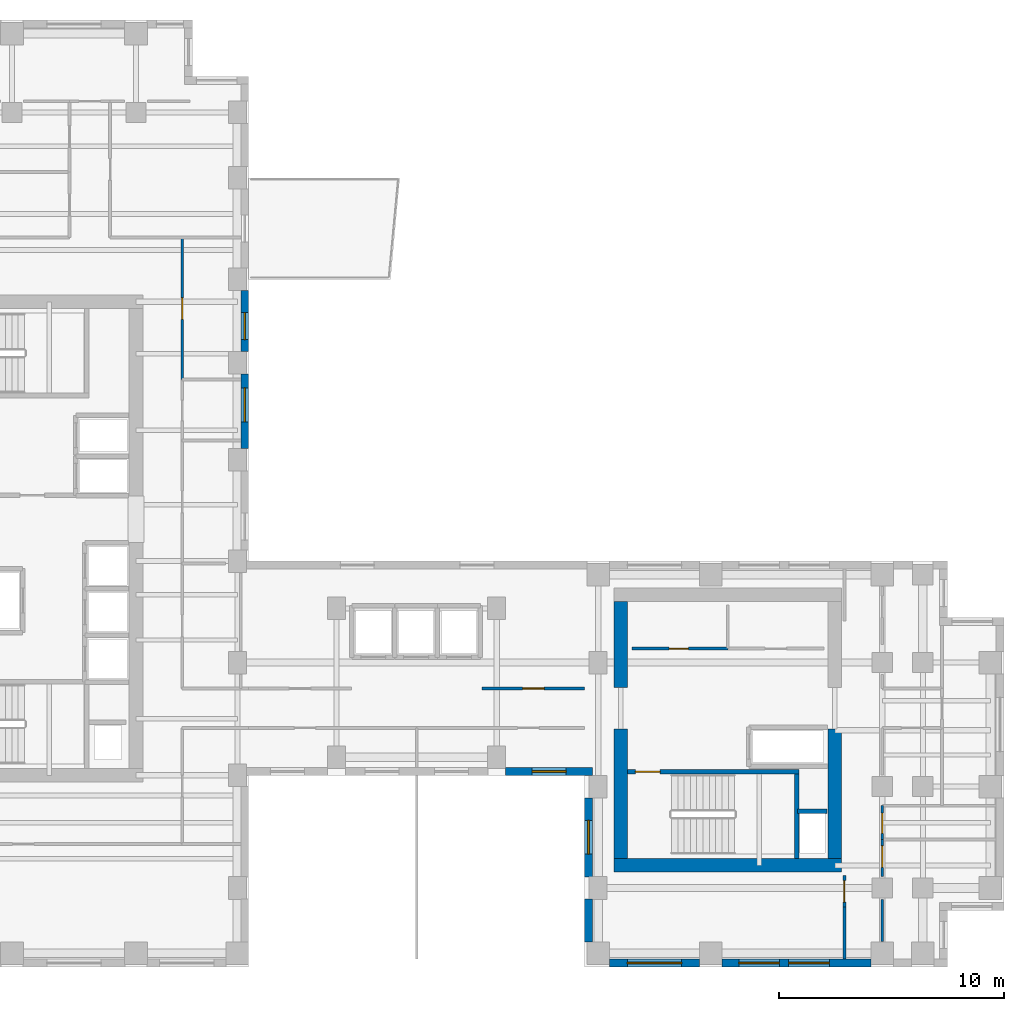
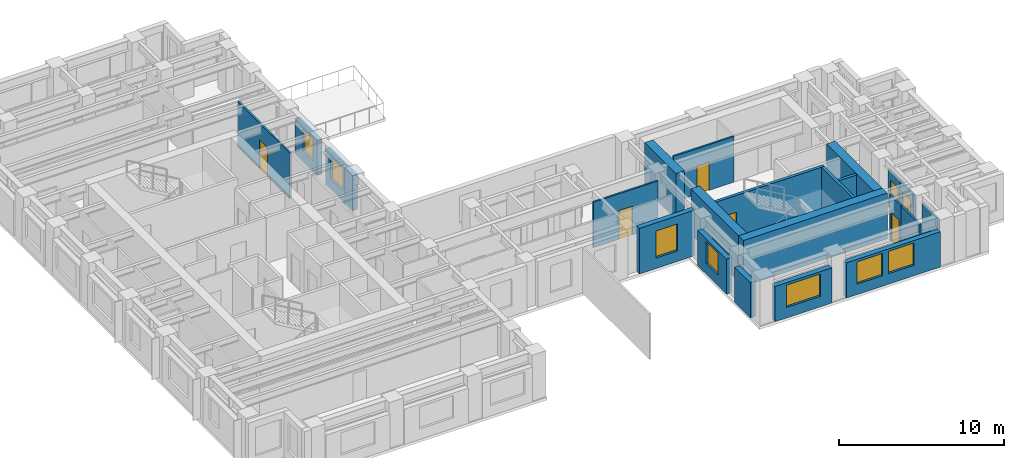
# One storey, part 6 of 11: 22 walls, 7 doors, 7 windows, 14 openings.
"""IFC4 building model written with IfcOpenShell, lengths in metres."""

from ifc_helpers import new_model, si_unit, direction, frame, frame_2d, origin, place, context, subcontext, project, spatial, rectangle, extrude, source, transform, mapped, material, layer, layer_set, type_object, element, fill, save


model = new_model("IFC4")

# Units and contexts
model_context = context("Model", 3, precision=1e-05, world=origin(), true_north=direction((0.0, 1.0)))
body_context = subcontext(model_context, "Body", "Model", "MODEL_VIEW")
ifc_project = project(units=[si_unit("LENGTHUNIT", "METRE"), si_unit("AREAUNIT", "SQUARE_METRE"), si_unit("VOLUMEUNIT", "CUBIC_METRE"), si_unit("PLANEANGLEUNIT", "RADIAN"), si_unit("MASSUNIT", "GRAM", prefix="KILO")], contexts=[model_context])

# Site, building, storey
site_placement = place(None, origin())
site = spatial("IfcSite", under=ifc_project, at=site_placement, CompositionType="ELEMENT")
building_placement = place(site_placement, origin())
building = spatial("IfcBuilding", under=site, at=building_placement, Name="Kharzan Plaza Tower", CompositionType="ELEMENT")
storey_placement = place(building_placement, frame((0.0, 0.0, 171.89990234375)))
storey = spatial("IfcBuildingStorey", under=building, at=storey_placement, Name="L46", CompositionType="ELEMENT", Elevation=171.89990234375)

# Wall, opening, window
ifc_material_1 = material(Name="Concrete C40/50", Category="concrete")
ifc_layer_1 = layer(ifc_material_1, 0.35009765625)
ifc_layer_set_1 = layer_set([ifc_layer_1], Name="Concrete C40/50")
wall_type_1 = type_object("IfcWallType", Name="WL-EXT-MAS-Z3", PredefinedType="SOLIDWALL", material=ifc_layer_set_1)
wall_1_placement = place(storey_placement, frame((30.89794921875, 8.675048828125, 0.0), z_axis=(0.0, 0.0, 1.0), x_axis=(1.0, 0.0, 0.0)))
wall_1 = element("IfcWall", 1, at=wall_1_placement, inside=storey, type_object=wall_type_1, Name="L46 Masonry-Frame Exterior Wall 28", PredefinedType="SOLIDWALL", context=body_context, shape_type="SweptSolid", body=[
    extrude(rectangle(XDim=3.85205078125, YDim=0.35009765625, at=frame_2d((1.926025390625, 0.0))), origin(), (0.0, 0.0, 1.0), 3.385009765625),
])
opening_1_placement = place(wall_1_placement, frame((1.176025390625, 0.0, 0.780029296875)))
opening_1 = element("IfcOpeningElement", 2, at=opening_1_placement, cuts=wall_1, Name="Opening W5", PredefinedType="OPENING", context=body_context, shape_type="SweptSolid", body=[
    extrude(rectangle(XDim=1.5, YDim=2.0, at=frame_2d((0.75, 1.0))), frame((0.0, 0.18505859375, 0.0), z_axis=(0.0, -1.0, 0.0), x_axis=(1.0, 0.0, 0.0)), (0.0, 0.0, 1.0), 0.3701171875),
])
ifc_material_2 = material(Name="Low-E Double Glazing", Category="glass")
window_type_1 = type_object("IfcWindowType", Name="WN-SLT-1500x2000", PartitioningType="SINGLE_PANEL", PredefinedType="WINDOW", material=ifc_material_2)
shared_shape_1 = source(origin(), body_context, "Body", "SweptSolid", [
    extrude(rectangle(XDim=1.5, YDim=2.0, at=frame_2d((0.75, 1.0))), frame((0.0, 0.030029296875, 0.0), z_axis=(0.0, -1.0, 0.0), x_axis=(1.0, 0.0, 0.0)), (0.0, 0.0, 1.0), 0.06005859375),
])
window_1_placement = place(opening_1_placement, origin())
window_1 = element("IfcWindow", 3, at=window_1_placement, inside=storey, type_object=window_type_1, Name="L46 Recessed Solar-Control Window 28-1", OverallHeight=2.0, OverallWidth=1.5, PartitioningType="SINGLE_PANEL", PredefinedType="WINDOW", context=body_context, shape_type="MappedRepresentation", body=[
    mapped(shared_shape_1, transform((0.0, 0.0, 0.0), x_axis=(1.0, 0.0, 0.0), y_axis=(0.0, 1.0, 0.0), z_axis=(0.0, 0.0, 1.0))),
])
fill(opening_1, window_1)

wall_2_placement = place(storey_placement, frame((34.574951171875, 7.501953125, 0.0), z_axis=(0.0, 0.0, 1.0), x_axis=(0.0, -1.0, 0.0)))
wall_2 = element("IfcWall", 4, at=wall_2_placement, inside=storey, type_object=wall_type_1, Name="L46 Masonry-Frame Exterior Wall 29", PredefinedType="SOLIDWALL", context=body_context, shape_type="SweptSolid", body=[
    extrude(rectangle(XDim=3.50390625, YDim=0.35009765625, at=frame_2d((1.751953125, 0.0))), origin(), (0.0, 0.0, 1.0), 2.612060546875),
])
opening_2_placement = place(wall_2_placement, frame((1.001953125, 0.0, 0.780029296875)))
opening_2 = element("IfcOpeningElement", 5, at=opening_2_placement, cuts=wall_2, Name="Opening W5", PredefinedType="OPENING", context=body_context, shape_type="SweptSolid", body=[
    extrude(rectangle(XDim=1.5, YDim=1.652099609375, at=frame_2d((0.75, 0.826171875))), frame((0.0, 0.18505859375, 0.0), z_axis=(0.0, -1.0, 0.0), x_axis=(1.0, 0.0, 0.0)), (0.0, 0.0, 1.0), 0.3701171875),
])
shared_shape_2 = source(origin(), body_context, "Body", "SweptSolid", [
    extrude(rectangle(XDim=1.5, YDim=1.652099609375, at=frame_2d((0.75, 0.826171875))), frame((0.0, 0.030029296875, 0.0), z_axis=(0.0, -1.0, 0.0), x_axis=(1.0, 0.0, 0.0)), (0.0, 0.0, 1.0), 0.06005859375),
])
window_2_placement = place(opening_2_placement, origin())
window_2 = element("IfcWindow", 6, at=window_2_placement, inside=storey, type_object=window_type_1, Name="L46 Recessed Solar-Control Window 29-1", OverallHeight=1.652099609375, OverallWidth=1.5, PartitioningType="SINGLE_PANEL", PredefinedType="WINDOW", context=body_context, shape_type="MappedRepresentation", body=[
    mapped(shared_shape_2, transform((0.0, 0.0, 0.0), x_axis=(1.0, 0.0, 0.0), y_axis=(0.0, 1.0, 0.0), z_axis=(0.0, 0.0, 1.0))),
])
fill(opening_2, window_2)

wall_3_placement = place(storey_placement, frame((35.498046875, 0.175048828125, 0.0), z_axis=(0.0, 0.0, 1.0), x_axis=(1.0, 0.0, 0.0)))
wall_3 = element("IfcWall", 7, at=wall_3_placement, inside=storey, type_object=wall_type_1, Name="L46 Masonry-Frame Exterior Wall 31", PredefinedType="SOLIDWALL", context=body_context, shape_type="SweptSolid", body=[
    extrude(rectangle(XDim=4.00390625, YDim=0.35009765625, at=frame_2d((2.001953125, 0.0))), origin(), (0.0, 0.0, 1.0), 2.612060546875),
])
opening_3_placement = place(wall_3_placement, frame((0.802001953125, 0.0, 0.780029296875)))
opening_3 = element("IfcOpeningElement", 8, at=opening_3_placement, cuts=wall_3, Name="Opening W2", PredefinedType="OPENING", context=body_context, shape_type="SweptSolid", body=[
    extrude(rectangle(XDim=2.39990234375, YDim=1.652099609375, at=frame_2d((1.199951171875, 0.826171875))), frame((0.0, 0.18505859375, 0.0), z_axis=(0.0, -1.0, 0.0), x_axis=(1.0, 0.0, 0.0)), (0.0, 0.0, 1.0), 0.3701171875),
])
window_type_2 = type_object("IfcWindowType", Name="WN-REC-2400x2100", PartitioningType="SINGLE_PANEL", PredefinedType="WINDOW", material=ifc_material_2)
shared_shape_3 = source(origin(), body_context, "Body", "SweptSolid", [
    extrude(rectangle(XDim=2.39990234375, YDim=1.652099609375, at=frame_2d((1.199951171875, 0.826171875))), frame((0.0, 0.030029296875, 0.0), z_axis=(0.0, -1.0, 0.0), x_axis=(1.0, 0.0, 0.0)), (0.0, 0.0, 1.0), 0.06005859375),
])
window_3_placement = place(opening_3_placement, origin())
window_3 = element("IfcWindow", 9, at=window_3_placement, inside=storey, type_object=window_type_2, Name="L46 Wide Recessed Solar-Control Window 31-1", OverallHeight=1.652099609375, OverallWidth=2.39990234375, PartitioningType="SINGLE_PANEL", PredefinedType="WINDOW", context=body_context, shape_type="MappedRepresentation", body=[
    mapped(shared_shape_3, transform((0.0, 0.0, 0.0), x_axis=(1.0, 0.0, 0.0), y_axis=(0.0, 1.0, 0.0), z_axis=(0.0, 0.0, 1.0))),
])
fill(opening_3, window_3)

# Wall, openings, windows
wall_4_placement = place(storey_placement, frame((40.498046875, 0.175048828125, 0.0), z_axis=(0.0, 0.0, 1.0), x_axis=(1.0, 0.0, 0.0)))
wall_4 = element("IfcWall", 10, at=wall_4_placement, inside=storey, type_object=wall_type_1, Name="L46 Masonry-Frame Exterior Wall 32", PredefinedType="SOLIDWALL", context=body_context, shape_type="SweptSolid", body=[
    extrude(rectangle(XDim=6.60400390625, YDim=0.35009765625, at=frame_2d((3.302001953125, 0.0))), origin(), (0.0, 0.0, 1.0), 2.612060546875),
])
opening_4_placement = place(wall_4_placement, frame((0.7373046875, 0.0, 0.780029296875)))
opening_4 = element("IfcOpeningElement", 11, at=opening_4_placement, cuts=wall_4, Name="Opening W1", PredefinedType="OPENING", context=body_context, shape_type="SweptSolid", body=[
    extrude(rectangle(XDim=1.800048828125, YDim=1.652099609375, at=frame_2d((0.89990234375, 0.826171875))), frame((0.0, 0.18505859375, 0.0), z_axis=(0.0, -1.0, 0.0), x_axis=(1.0, 0.0, 0.0)), (0.0, 0.0, 1.0), 0.3701171875),
])
opening_5_placement = place(wall_4_placement, frame((2.95458984375, 0.0, 0.780029296875)))
opening_5 = element("IfcOpeningElement", 12, at=opening_5_placement, cuts=wall_4, Name="Opening W1", PredefinedType="OPENING", context=body_context, shape_type="SweptSolid", body=[
    extrude(rectangle(XDim=1.800048828125, YDim=1.652099609375, at=frame_2d((0.89990234375, 0.826171875))), frame((0.0, 0.18505859375, 0.0), z_axis=(0.0, -1.0, 0.0), x_axis=(1.0, 0.0, 0.0)), (0.0, 0.0, 1.0), 0.3701171875),
])
window_type_3 = type_object("IfcWindowType", Name="WN-REC-1800x2100", PartitioningType="SINGLE_PANEL", PredefinedType="WINDOW", material=ifc_material_2)
shared_shape_4 = source(origin(), body_context, "Body", "SweptSolid", [
    extrude(rectangle(XDim=1.800048828125, YDim=1.652099609375, at=frame_2d((0.89990234375, 0.826171875))), frame((0.0, 0.030029296875, 0.0), z_axis=(0.0, -1.0, 0.0), x_axis=(1.0, 0.0, 0.0)), (0.0, 0.0, 1.0), 0.06005859375),
])
window_4_placement = place(opening_4_placement, origin())
window_4 = element("IfcWindow", 13, at=window_4_placement, inside=storey, type_object=window_type_3, Name="L46 Recessed Solar-Control Window 32-1", OverallHeight=1.652099609375, OverallWidth=1.800048828125, PartitioningType="SINGLE_PANEL", PredefinedType="WINDOW", context=body_context, shape_type="MappedRepresentation", body=[
    mapped(shared_shape_4, transform((0.0, 0.0, 0.0), x_axis=(1.0, 0.0, 0.0), y_axis=(0.0, 1.0, 0.0), z_axis=(0.0, 0.0, 1.0))),
])
fill(opening_4, window_4)
window_5_placement = place(opening_5_placement, origin())
window_5 = element("IfcWindow", 14, at=window_5_placement, inside=storey, type_object=window_type_3, Name="L46 Recessed Solar-Control Window 32-2", OverallHeight=1.652099609375, OverallWidth=1.800048828125, PartitioningType="SINGLE_PANEL", PredefinedType="WINDOW", context=body_context, shape_type="MappedRepresentation", body=[
    mapped(shared_shape_4, transform((0.0, 0.0, 0.0), x_axis=(1.0, 0.0, 0.0), y_axis=(0.0, 1.0, 0.0), z_axis=(0.0, 0.0, 1.0))),
])
fill(opening_5, window_5)

# Wall, opening, window
wall_5_placement = place(storey_placement, frame((19.324951171875, 22.998046875, 0.0), z_axis=(0.0, 0.0, 1.0), x_axis=(0.0, 1.0, 0.0)))
wall_5 = element("IfcWall", 15, at=wall_5_placement, inside=storey, type_object=wall_type_1, Name="L46 Masonry-Frame Exterior Wall 48", PredefinedType="SOLIDWALL", context=body_context, shape_type="SweptSolid", body=[
    extrude(rectangle(XDim=3.303955078125, YDim=0.35009765625, at=frame_2d((1.65185546875, 0.0))), origin(), (0.0, 0.0, 1.0), 2.612060546875),
])
opening_6_placement = place(wall_5_placement, frame((1.180419921875, 0.0, 0.780029296875)))
opening_6 = element("IfcOpeningElement", 16, at=opening_6_placement, cuts=wall_5, Name="Opening W5", PredefinedType="OPENING", context=body_context, shape_type="SweptSolid", body=[
    extrude(rectangle(XDim=1.5, YDim=1.652099609375, at=frame_2d((0.75, 0.826171875))), frame((0.0, 0.18505859375, 0.0), z_axis=(0.0, -1.0, 0.0), x_axis=(1.0, 0.0, 0.0)), (0.0, 0.0, 1.0), 0.3701171875),
])
window_6_placement = place(opening_6_placement, origin())
window_6 = element("IfcWindow", 17, at=window_6_placement, inside=storey, type_object=window_type_1, Name="L46 Recessed Solar-Control Window 48-1", OverallHeight=1.652099609375, OverallWidth=1.5, PartitioningType="SINGLE_PANEL", PredefinedType="WINDOW", context=body_context, shape_type="MappedRepresentation", body=[
    mapped(shared_shape_2, transform((0.0, 0.0, 0.0), x_axis=(1.0, 0.0, 0.0), y_axis=(0.0, 1.0, 0.0), z_axis=(0.0, 0.0, 1.0))),
])
fill(opening_6, window_6)

wall_6_placement = place(storey_placement, frame((19.324951171875, 27.298095703125, 0.0), z_axis=(0.0, 0.0, 1.0), x_axis=(0.0, 1.0, 0.0)))
wall_6 = element("IfcWall", 18, at=wall_6_placement, inside=storey, type_object=wall_type_1, Name="L46 Masonry-Frame Exterior Wall 49", PredefinedType="SOLIDWALL", context=body_context, shape_type="SweptSolid", body=[
    extrude(rectangle(XDim=2.703857421875, YDim=0.35009765625, at=frame_2d((1.35205078125, 0.0))), origin(), (0.0, 0.0, 1.0), 2.612060546875),
])
opening_7_placement = place(wall_6_placement, frame((0.523681640625, 0.0, 0.780029296875)))
opening_7 = element("IfcOpeningElement", 19, at=opening_7_placement, cuts=wall_6, Name="Opening W3", PredefinedType="OPENING", context=body_context, shape_type="SweptSolid", body=[
    extrude(rectangle(XDim=1.199951171875, YDim=1.652099609375, at=frame_2d((0.60009765625, 0.826171875))), frame((0.0, 0.18505859375, 0.0), z_axis=(0.0, -1.0, 0.0), x_axis=(1.0, 0.0, 0.0)), (0.0, 0.0, 1.0), 0.3701171875),
])
window_type_4 = type_object("IfcWindowType", Name="WN-REC-1200x2100", PartitioningType="SINGLE_PANEL", PredefinedType="WINDOW", material=ifc_material_2)
shared_shape_5 = source(origin(), body_context, "Body", "SweptSolid", [
    extrude(rectangle(XDim=1.199951171875, YDim=1.652099609375, at=frame_2d((0.60009765625, 0.826171875))), frame((0.0, 0.030029296875, 0.0), z_axis=(0.0, -1.0, 0.0), x_axis=(1.0, 0.0, 0.0)), (0.0, 0.0, 1.0), 0.06005859375),
])
window_7_placement = place(opening_7_placement, origin())
window_7 = element("IfcWindow", 20, at=window_7_placement, inside=storey, type_object=window_type_4, Name="L46 Recessed Solar-Control Window 49-1", OverallHeight=1.652099609375, OverallWidth=1.199951171875, PartitioningType="SINGLE_PANEL", PredefinedType="WINDOW", context=body_context, shape_type="MappedRepresentation", body=[
    mapped(shared_shape_5, transform((0.0, 0.0, 0.0), x_axis=(1.0, 0.0, 0.0), y_axis=(0.0, 1.0, 0.0), z_axis=(0.0, 0.0, 1.0))),
])
fill(opening_7, window_7)

# Wall, opening, door
ifc_material_3 = material(Name="Fire-Rated Gypsum Board Partition", Category="gypsum")
ifc_layer_2 = layer(ifc_material_3, 0.125)
ifc_layer_set_2 = layer_set([ifc_layer_2], Name="Fire-Rated Gypsum Board Partition")
wall_type_2 = type_object("IfcWallType", Name="WL-INT-PART-125", PredefinedType="PARTITIONING", material=ifc_layer_set_2)
wall_7_placement = place(storey_placement, frame((36.5, 14.1201171875, 0.0), z_axis=(0.0, 0.0, 1.0), x_axis=(1.0, 0.0, 0.0)))
wall_7 = element("IfcWall", 21, at=wall_7_placement, inside=storey, type_object=wall_type_2, Name="L46 Interior Partition CB-RBLS1", PredefinedType="PARTITIONING", context=body_context, shape_type="SweptSolid", body=[
    extrude(rectangle(XDim=4.25, YDim=0.125, at=frame_2d((2.125, 0.0))), origin(), (0.0, 0.0, 1.0), 3.385009765625),
])
opening_8_placement = place(wall_7_placement, frame((1.64990234375, 0.0, 0.0)))
opening_8 = element("IfcOpeningElement", 22, at=opening_8_placement, cuts=wall_7, Name="Opening RD1", PredefinedType="OPENING", context=body_context, shape_type="SweptSolid", body=[
    extrude(rectangle(XDim=0.85009765625, YDim=2.10009765625, at=frame_2d((0.425048828125, 1.050048828125))), frame((0.0, 0.072509765625, 0.0), z_axis=(0.0, -1.0, 0.0), x_axis=(1.0, 0.0, 0.0)), (0.0, 0.0, 1.0), 0.14501953125),
])
ifc_material_4 = material(Name="Powder-Coated Fire-Rated Steel", Category="steel")
door_type_1 = type_object("IfcDoorType", Name="DR-RISER-900", OperationType="NOTDEFINED", PredefinedType="DOOR", material=ifc_material_4)
shared_shape_6 = source(origin(), body_context, "Body", "SweptSolid", [
    extrude(rectangle(XDim=0.85009765625, YDim=2.10009765625, at=frame_2d((0.425048828125, 1.050048828125))), frame((0.0, 0.02490234375, 0.0), z_axis=(0.0, -1.0, 0.0), x_axis=(1.0, 0.0, 0.0)), (0.0, 0.0, 1.0), 0.050048828125),
])
door_1_placement = place(opening_8_placement, origin())
door_1 = element("IfcDoor", 23, at=door_1_placement, inside=storey, type_object=door_type_1, Name="L46 Archive Room Door", OperationType="SINGLE_SWING_LEFT", OverallHeight=2.10009765625, OverallWidth=0.85009765625, PredefinedType="DOOR", context=body_context, shape_type="MappedRepresentation", body=[
    mapped(shared_shape_6, transform((0.0, 0.0, 0.0), x_axis=(1.0, 0.0, 0.0), y_axis=(0.0, 1.0, 0.0), z_axis=(0.0, 0.0, 1.0))),
])
fill(opening_8, door_1)

wall_8_placement = place(storey_placement, frame((16.550048828125, 26.050048828125, 0.0), z_axis=(0.0, 0.0, 1.0), x_axis=(0.0, 1.0, 0.0)))
wall_8 = element("IfcWall", 24, at=wall_8_placement, inside=storey, type_object=wall_type_2, Name="L46 Interior Partition SH-AEWN3", PredefinedType="PARTITIONING", context=body_context, shape_type="SweptSolid", body=[
    extrude(rectangle(XDim=6.300048828125, YDim=0.125, at=frame_2d((3.14990234375, 0.0))), origin(), (0.0, 0.0, 1.0), 3.385009765625),
])
opening_9_placement = place(wall_8_placement, frame((2.675048828125, 0.0, 0.0)))
opening_9 = element("IfcOpeningElement", 25, at=opening_9_placement, cuts=wall_8, Name="Opening OD1", PredefinedType="OPENING", context=body_context, shape_type="SweptSolid", body=[
    extrude(rectangle(XDim=0.949951171875, YDim=2.14990234375, at=frame_2d((0.47509765625, 1.074951171875))), frame((0.0, 0.072509765625, 0.0), z_axis=(0.0, -1.0, 0.0), x_axis=(1.0, 0.0, 0.0)), (0.0, 0.0, 1.0), 0.14501953125),
])
ifc_material_5 = material(Name="Acoustic Solid-Core Stained Oak", Category="timber")
door_type_2 = type_object("IfcDoorType", Name="DR-OFF-SINGLE", OperationType="NOTDEFINED", PredefinedType="DOOR", material=ifc_material_5)
shared_shape_7 = source(origin(), body_context, "Body", "SweptSolid", [
    extrude(rectangle(XDim=0.949951171875, YDim=2.14990234375, at=frame_2d((0.47509765625, 1.074951171875))), frame((0.0, 0.02490234375, 0.0), z_axis=(0.0, -1.0, 0.0), x_axis=(1.0, 0.0, 0.0)), (0.0, 0.0, 1.0), 0.050048828125),
])
door_2_placement = place(opening_9_placement, origin())
door_2 = element("IfcDoor", 26, at=door_2_placement, inside=storey, type_object=door_type_2, Name="L46 Staff Tea Point Door", OperationType="SINGLE_SWING_LEFT", OverallHeight=2.14990234375, OverallWidth=0.949951171875, PredefinedType="DOOR", context=body_context, shape_type="MappedRepresentation", body=[
    mapped(shared_shape_7, transform((0.0, 0.0, 0.0), x_axis=(1.0, 0.0, 0.0), y_axis=(0.0, 1.0, 0.0), z_axis=(0.0, 0.0, 1.0))),
])
fill(opening_9, door_2)

wall_9_placement = place(storey_placement, frame((47.60009765625, 4.02001953125, 0.0), z_axis=(0.0, 0.0, 1.0), x_axis=(0.0, 1.0, 0.0)))
wall_9 = element("IfcWall", 27, at=wall_9_placement, inside=storey, type_object=wall_type_2, Name="L46 Interior Partition SH-B2W0", PredefinedType="PARTITIONING", context=body_context, shape_type="SweptSolid", body=[
    extrude(rectangle(XDim=1.6298828125, YDim=0.125, at=frame_2d((0.81494140625, 0.0))), origin(), (0.0, 0.0, 1.0), 2.773193359375),
])
opening_10_placement = place(wall_9_placement, frame((0.393310546875, 0.0, 0.0)))
opening_10 = element("IfcOpeningElement", 28, at=opening_10_placement, cuts=wall_9, Name="Opening OD1", PredefinedType="OPENING", context=body_context, shape_type="SweptSolid", body=[
    extrude(rectangle(XDim=0.949951171875, YDim=2.14990234375, at=frame_2d((0.47509765625, 1.074951171875))), frame((0.0, 0.072509765625, 0.0), z_axis=(0.0, -1.0, 0.0), x_axis=(1.0, 0.0, 0.0)), (0.0, 0.0, 1.0), 0.14501953125),
])
door_3_placement = place(opening_10_placement, origin())
door_3 = element("IfcDoor", 29, at=door_3_placement, inside=storey, type_object=door_type_2, Name="L46 Wing B South Office Door", OperationType="SINGLE_SWING_RIGHT", OverallHeight=2.14990234375, OverallWidth=0.949951171875, PredefinedType="DOOR", context=body_context, shape_type="MappedRepresentation", body=[
    mapped(shared_shape_7, transform((0.0, 0.0, 0.0), x_axis=(1.0, 0.0, 0.0), y_axis=(0.0, 1.0, 0.0), z_axis=(0.0, 0.0, 1.0))),
])
fill(opening_10, door_3)

wall_10_placement = place(storey_placement, frame((47.60009765625, 5.64990234375, 0.0), z_axis=(0.0, 0.0, 1.0), x_axis=(0.0, 1.0, 0.0)))
wall_10 = element("IfcWall", 30, at=wall_10_placement, inside=storey, type_object=wall_type_2, Name="L46 Interior Partition SH-B2WC", PredefinedType="PARTITIONING", context=body_context, shape_type="SweptSolid", body=[
    extrude(rectangle(XDim=1.5, YDim=0.125, at=frame_2d((0.75, 0.0))), origin(), (0.0, 0.0, 1.0), 2.773193359375),
])
opening_11_placement = place(wall_10_placement, frame((0.27490234375, 0.0, 0.0)))
opening_11 = element("IfcOpeningElement", 31, at=opening_11_placement, cuts=wall_10, Name="Opening WD1", PredefinedType="OPENING", context=body_context, shape_type="SweptSolid", body=[
    extrude(rectangle(XDim=0.89990234375, YDim=2.14990234375, at=frame_2d((0.449951171875, 1.074951171875))), frame((0.0, 0.072509765625, 0.0), z_axis=(0.0, -1.0, 0.0), x_axis=(1.0, 0.0, 0.0)), (0.0, 0.0, 1.0), 0.14501953125),
])
ifc_material_6 = material(Name="Moisture-Resistant Fire-Rated Laminate", Category="timber")
door_type_3 = type_object("IfcDoorType", Name="DR-WC-900", OperationType="NOTDEFINED", PredefinedType="DOOR", material=ifc_material_6)
shared_shape_8 = source(origin(), body_context, "Body", "SweptSolid", [
    extrude(rectangle(XDim=0.89990234375, YDim=2.14990234375, at=frame_2d((0.449951171875, 1.074951171875))), frame((0.0, 0.02490234375, 0.0), z_axis=(0.0, -1.0, 0.0), x_axis=(1.0, 0.0, 0.0)), (0.0, 0.0, 1.0), 0.050048828125),
])
door_4_placement = place(opening_11_placement, origin())
door_4 = element("IfcDoor", 32, at=door_4_placement, inside=storey, type_object=door_type_3, Name="L46 Wing B Washroom Door", OperationType="SINGLE_SWING_LEFT", OverallHeight=2.14990234375, OverallWidth=0.89990234375, PredefinedType="DOOR", context=body_context, shape_type="MappedRepresentation", body=[
    mapped(shared_shape_8, transform((0.0, 0.0, 0.0), x_axis=(1.0, 0.0, 0.0), y_axis=(0.0, 1.0, 0.0), z_axis=(0.0, 0.0, 1.0))),
])
fill(opening_11, door_4)

wall_11_placement = place(storey_placement, frame((45.919921875, 2.64990234375, 0.0), z_axis=(0.0, 0.0, 1.0), x_axis=(0.0, 1.0, 0.0)))
wall_11 = element("IfcWall", 33, at=wall_11_placement, inside=storey, type_object=wall_type_2, Name="L46 Interior Partition SH-RBSE", PredefinedType="PARTITIONING", context=body_context, shape_type="SweptSolid", body=[
    extrude(rectangle(XDim=1.400146484375, YDim=0.125, at=frame_2d((0.7001953125, 0.0))), origin(), (0.0, 0.0, 1.0), 3.385009765625),
])
opening_12_placement = place(wall_11_placement, frame((0.22509765625, 0.0, 0.0)))
opening_12 = element("IfcOpeningElement", 34, at=opening_12_placement, cuts=wall_11, Name="Opening OD1", PredefinedType="OPENING", context=body_context, shape_type="SweptSolid", body=[
    extrude(rectangle(XDim=0.949951171875, YDim=2.14990234375, at=frame_2d((0.47509765625, 1.074951171875))), frame((0.0, 0.072509765625, 0.0), z_axis=(0.0, -1.0, 0.0), x_axis=(1.0, 0.0, 0.0)), (0.0, 0.0, 1.0), 0.14501953125),
])
door_5_placement = place(opening_12_placement, origin())
door_5 = element("IfcDoor", 35, at=door_5_placement, inside=storey, type_object=door_type_2, Name="L46 South-East Corner Office Door", OperationType="SINGLE_SWING_RIGHT", OverallHeight=2.14990234375, OverallWidth=0.949951171875, PredefinedType="DOOR", context=body_context, shape_type="MappedRepresentation", body=[
    mapped(shared_shape_7, transform((0.0, 0.0, 0.0), x_axis=(1.0, 0.0, 0.0), y_axis=(0.0, 1.0, 0.0), z_axis=(0.0, 0.0, 1.0))),
])
fill(opening_12, door_5)

wall_12_placement = place(storey_placement, frame((29.85009765625, 12.35009765625, 0.0), z_axis=(0.0, 0.0, 1.0), x_axis=(1.0, 0.0, 0.0)))
wall_12 = element("IfcWall", 36, at=wall_12_placement, inside=storey, type_object=wall_type_2, Name="L46 Interior Partition SH-SPNE1", PredefinedType="PARTITIONING", context=body_context, shape_type="SweptSolid", body=[
    extrude(rectangle(XDim=4.5498046875, YDim=0.125, at=frame_2d((2.27490234375, 0.0))), origin(), (0.0, 0.0, 1.0), 3.385009765625),
])
opening_13_placement = place(wall_12_placement, frame((1.800048828125, 0.0, 0.0)))
opening_13 = element("IfcOpeningElement", 37, at=opening_13_placement, cuts=wall_12, Name="Opening OD1", PredefinedType="OPENING", context=body_context, shape_type="SweptSolid", body=[
    extrude(rectangle(XDim=0.949951171875, YDim=2.14990234375, at=frame_2d((0.47509765625, 1.074951171875))), frame((0.0, 0.072509765625, 0.0), z_axis=(0.0, -1.0, 0.0), x_axis=(1.0, 0.0, 0.0)), (0.0, 0.0, 1.0), 0.14501953125),
])
door_6_placement = place(opening_13_placement, origin())
door_6 = element("IfcDoor", 38, at=door_6_placement, inside=storey, type_object=door_type_2, Name="L46 North-East Spine Door", OperationType="SINGLE_SWING_LEFT", OverallHeight=2.14990234375, OverallWidth=0.949951171875, PredefinedType="DOOR", context=body_context, shape_type="MappedRepresentation", body=[
    mapped(shared_shape_7, transform((0.0, 0.0, 0.0), x_axis=(1.0, 0.0, 0.0), y_axis=(0.0, 1.0, 0.0), z_axis=(0.0, 0.0, 1.0))),
])
fill(opening_13, door_6)

ifc_material_7 = material(Name="Concrete C50/60", Category="concrete")
ifc_layer_3 = layer(ifc_material_7, 0.199951171875)
ifc_layer_set_3 = layer_set([ifc_layer_3], Name="Concrete C50/60")
wall_type_3 = type_object("IfcWallType", Name="WL-SHAFT-RC200", PredefinedType="SHEAR", material=ifc_layer_set_3)
wall_13_placement = place(storey_placement, frame((36.302001953125, 8.655029296875, 0.0), z_axis=(0.0, 0.0, 1.0), x_axis=(1.0, 0.0, 0.0)))
wall_13 = element("IfcWall", 39, at=wall_13_placement, inside=storey, type_object=wall_type_3, Name="L46 Stair ST-3 North RC Shaft Wall", PredefinedType="SHEAR", context=body_context, shape_type="SweptSolid", body=[
    extrude(rectangle(XDim=7.60302734375, YDim=0.199951171875, at=frame_2d((3.801513671875, 0.0))), origin(), (0.0, 0.0, 1.0), 3.400146484375),
])
opening_14_placement = place(wall_13_placement, frame((0.35009765625, 0.0, 0.0)))
opening_14 = element("IfcOpeningElement", 40, at=opening_14_placement, cuts=wall_13, Name="Opening SD1", PredefinedType="OPENING", context=body_context, shape_type="SweptSolid", body=[
    extrude(rectangle(XDim=1.10009765625, YDim=2.14990234375, at=frame_2d((0.550048828125, 1.074951171875))), frame((0.0, 0.10986328125, 0.0), z_axis=(0.0, -1.0, 0.0), x_axis=(1.0, 0.0, 0.0)), (0.0, 0.0, 1.0), 0.219970703125),
])
ifc_material_8 = material(Name="Fire-Rated Hollow Galvanized Steel", Category="steel")
door_type_4 = type_object("IfcDoorType", Name="DR-STAIR-FD120", OperationType="NOTDEFINED", PredefinedType="DOOR", material=ifc_material_8)
shared_shape_9 = source(origin(), body_context, "Body", "SweptSolid", [
    extrude(rectangle(XDim=1.10009765625, YDim=2.14990234375, at=frame_2d((0.550048828125, 1.074951171875))), frame((0.0, 0.02490234375, 0.0), z_axis=(0.0, -1.0, 0.0), x_axis=(1.0, 0.0, 0.0)), (0.0, 0.0, 1.0), 0.050048828125),
])
door_7_placement = place(opening_14_placement, origin())
door_7 = element("IfcDoor", 41, at=door_7_placement, inside=storey, type_object=door_type_4, Name="L46 Stair ST-3 Fire Exit Door", OperationType="SINGLE_SWING_RIGHT", OverallHeight=2.14990234375, OverallWidth=1.10009765625, PredefinedType="DOOR", context=body_context, shape_type="MappedRepresentation", body=[
    mapped(shared_shape_9, transform((0.0, 0.0, 0.0), x_axis=(1.0, 0.0, 0.0), y_axis=(0.0, 1.0, 0.0), z_axis=(0.0, 0.0, 1.0))),
])
fill(opening_14, door_7)

# Walls
shared_shape_10 = source(origin(), body_context, "Body", "SweptSolid", [
    extrude(rectangle(XDim=2.2978515625, YDim=0.125, at=frame_2d((1.14892578125, 0.0))), origin(), (0.0, 0.0, 1.0), 3.385009765625),
])
wall_14_placement = place(storey_placement, frame((45.919921875, 0.35205078125, 0.0), z_axis=(0.0, 0.0, 1.0), x_axis=(0.0, 1.0, 0.0)))
element("IfcWall", 42, at=wall_14_placement, inside=storey, type_object=wall_type_2, Name="L46 Interior Partition SH-RBSE0", PredefinedType="PARTITIONING", context=body_context, shape_type="MappedRepresentation", body=[
    mapped(shared_shape_10, transform((0.0, 0.0, 0.0), x_axis=(1.0, 0.0, 0.0), y_axis=(0.0, 1.0, 0.0), z_axis=(0.0, 0.0, 1.0))),
])
ifc_layer_4 = layer(ifc_material_1, 0.199951171875)
ifc_layer_set_4 = layer_set([ifc_layer_4], Name="Concrete C40/50")
wall_type_4 = type_object("IfcWallType", Name="WL-INT-SHAFT-200", PredefinedType="PARTITIONING", material=ifc_layer_set_4)
shared_shape_11 = source(origin(), body_context, "Body", "SweptSolid", [
    extrude(rectangle(XDim=1.2998046875, YDim=0.199951171875, at=frame_2d((0.64990234375, 0.0))), origin(), (0.0, 0.0, 1.0), 3.385009765625),
])
wall_15_placement = place(storey_placement, frame((43.85009765625, 6.89990234375, 0.0), z_axis=(0.0, 0.0, 1.0), x_axis=(1.0, 0.0, 0.0)))
element("IfcWall", 43, at=wall_15_placement, inside=storey, type_object=wall_type_4, Name="L46 Interior Partition CB-RSRB-N", PredefinedType="PARTITIONING", context=body_context, shape_type="MappedRepresentation", body=[
    mapped(shared_shape_11, transform((0.0, 0.0, 0.0), x_axis=(1.0, 0.0, 0.0), y_axis=(0.0, 1.0, 0.0), z_axis=(0.0, 0.0, 1.0))),
])
ifc_layer_5 = layer(ifc_material_7, 0.60009765625)
ifc_layer_set_5 = layer_set([ifc_layer_5], Name="Concrete C50/60")
wall_type_5 = type_object("IfcWallType", Name="WL-CORE-600", PredefinedType="SHEAR", material=ifc_layer_set_5)
shared_shape_12 = source(origin(), body_context, "Body", "SweptSolid", [
    extrude(rectangle(XDim=5.75, YDim=0.60009765625, at=frame_2d((2.875, 0.0))), origin(), (0.0, 0.0, 1.0), 3.400146484375),
])
for number, where, z_axis, x_axis, name in (
    (44, (45.5, 4.800048828125, 0.0), (0.0, 0.0, 1.0), (0.0, 1.0, 0.0), "L46 CORE-B east shear pier 1"),
    (45, (36.0, 4.800048828125, 0.0), (0.0, 0.0, 1.0), (0.0, 1.0, 0.0), "L46 CORE-B west shear pier 1"),
):
    element("IfcWall", number, at=place(storey_placement, frame(where, z_axis=z_axis, x_axis=x_axis)), inside=storey, type_object=wall_type_5, Name=name, PredefinedType="SHEAR", context=body_context, shape_type="MappedRepresentation", body=[
        mapped(shared_shape_12, transform((0.0, 0.0, 0.0), x_axis=(1.0, 0.0, 0.0), y_axis=(0.0, 1.0, 0.0), z_axis=(0.0, 0.0, 1.0))),
    ])
shared_shape_13 = source(origin(), body_context, "Body", "SweptSolid", [
    extrude(rectangle(XDim=3.800048828125, YDim=0.60009765625, at=frame_2d((1.89990234375, 0.0))), origin(), (0.0, 0.0, 1.0), 3.400146484375),
])
wall_16_placement = place(storey_placement, frame((36.0, 12.39990234375, 0.0), z_axis=(0.0, 0.0, 1.0), x_axis=(0.0, 1.0, 0.0)))
element("IfcWall", 46, at=wall_16_placement, inside=storey, type_object=wall_type_5, Name="L46 CORE-B west shear pier 2", PredefinedType="SHEAR", context=body_context, shape_type="MappedRepresentation", body=[
    mapped(shared_shape_13, transform((0.0, 0.0, 0.0), x_axis=(1.0, 0.0, 0.0), y_axis=(0.0, 1.0, 0.0), z_axis=(0.0, 0.0, 1.0))),
])
shared_shape_14 = source(origin(), body_context, "Body", "SweptSolid", [
    extrude(rectangle(XDim=10.10009765625, YDim=0.60009765625, at=frame_2d((5.050048828125, 0.0))), origin(), (0.0, 0.0, 1.0), 3.400146484375),
])
wall_17_placement = place(storey_placement, frame((35.699951171875, 4.5, 0.0), z_axis=(0.0, 0.0, 1.0), x_axis=(1.0, 0.0, 0.0)))
element("IfcWall", 47, at=wall_17_placement, inside=storey, type_object=wall_type_5, Name="L46 CORE-B south RC shear wall", PredefinedType="SHEAR", context=body_context, shape_type="MappedRepresentation", body=[
    mapped(shared_shape_14, transform((0.0, 0.0, 0.0), x_axis=(1.0, 0.0, 0.0), y_axis=(0.0, 1.0, 0.0), z_axis=(0.0, 0.0, 1.0))),
])
shared_shape_15 = source(origin(), body_context, "Body", "SweptSolid", [
    extrude(rectangle(XDim=1.904052734375, YDim=0.35009765625, at=frame_2d((0.9521484375, 0.0))), origin(), (0.0, 0.0, 1.0), 2.612060546875),
])
wall_18_placement = place(storey_placement, frame((34.574951171875, 3.001953125, 0.0), z_axis=(0.0, 0.0, 1.0), x_axis=(0.0, -1.0, 0.0)))
element("IfcWall", 48, at=wall_18_placement, inside=storey, type_object=wall_type_1, Name="L46 Masonry-Frame Exterior Wall 30", PredefinedType="SOLIDWALL", context=body_context, shape_type="MappedRepresentation", body=[
    mapped(shared_shape_15, transform((0.0, 0.0, 0.0), x_axis=(1.0, 0.0, 0.0), y_axis=(0.0, 1.0, 0.0), z_axis=(0.0, 0.0, 1.0))),
])
shared_shape_16 = source(origin(), body_context, "Body", "SweptSolid", [
    extrude(rectangle(XDim=3.7529296875, YDim=0.199951171875, at=frame_2d((1.87646484375, 0.0))), origin(), (0.0, 0.0, 1.0), 3.400146484375),
])
wall_19_placement = place(storey_placement, frame((43.804931640625, 4.802001953125, 0.0), z_axis=(0.0, 0.0, 1.0), x_axis=(0.0, 1.0, 0.0)))
element("IfcWall", 49, at=wall_19_placement, inside=storey, type_object=wall_type_3, Name="L46 Stair ST-3 East RC Shaft Wall", PredefinedType="SHEAR", context=body_context, shape_type="MappedRepresentation", body=[
    mapped(shared_shape_16, transform((0.0, 0.0, 0.0), x_axis=(1.0, 0.0, 0.0), y_axis=(0.0, 1.0, 0.0), z_axis=(0.0, 0.0, 1.0))),
])
shared_shape_17 = source(origin(), body_context, "Body", "SweptSolid", [
    extrude(rectangle(XDim=1.85986328125, YDim=0.125, at=frame_2d((0.929931640625, 0.0))), origin(), (0.0, 0.0, 1.0), 2.773193359375),
])
wall_20_placement = place(storey_placement, frame((47.60009765625, 1.1201171875, 0.0), z_axis=(0.0, 0.0, 1.0), x_axis=(0.0, 1.0, 0.0)))
element("IfcWall", 50, at=wall_20_placement, inside=storey, type_object=wall_type_2, Name="L46 Interior Partition SH-B2W0S", PredefinedType="PARTITIONING", context=body_context, shape_type="MappedRepresentation", body=[
    mapped(shared_shape_17, transform((0.0, 0.0, 0.0), x_axis=(1.0, 0.0, 0.0), y_axis=(0.0, 1.0, 0.0), z_axis=(0.0, 0.0, 1.0))),
])

save(model, "model.ifc")
